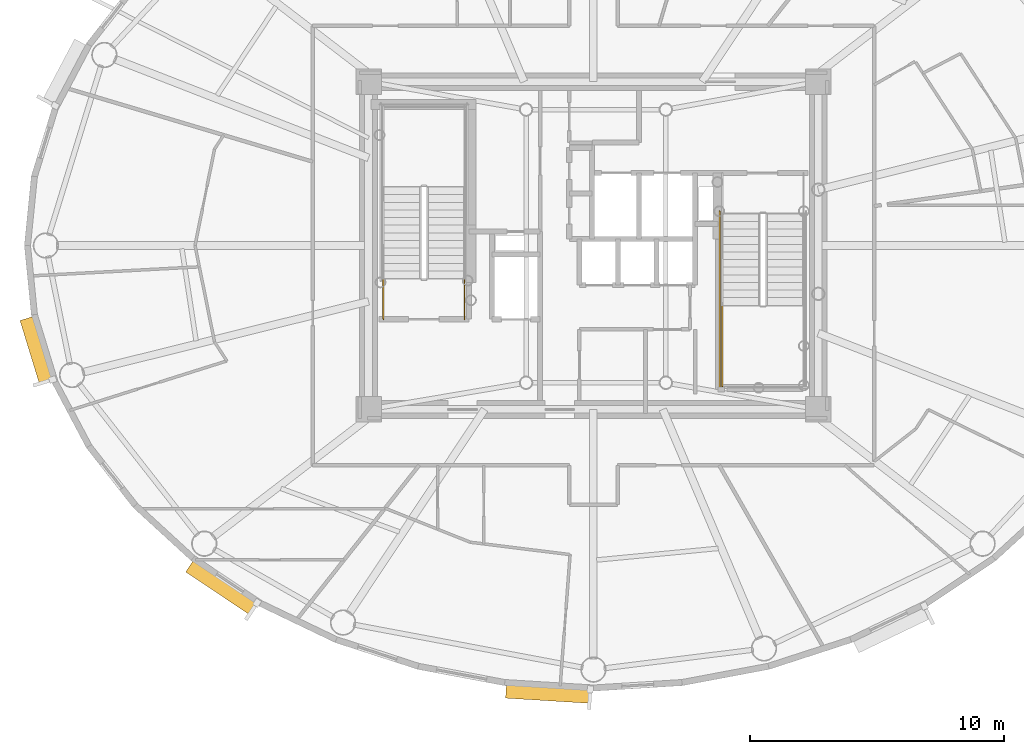
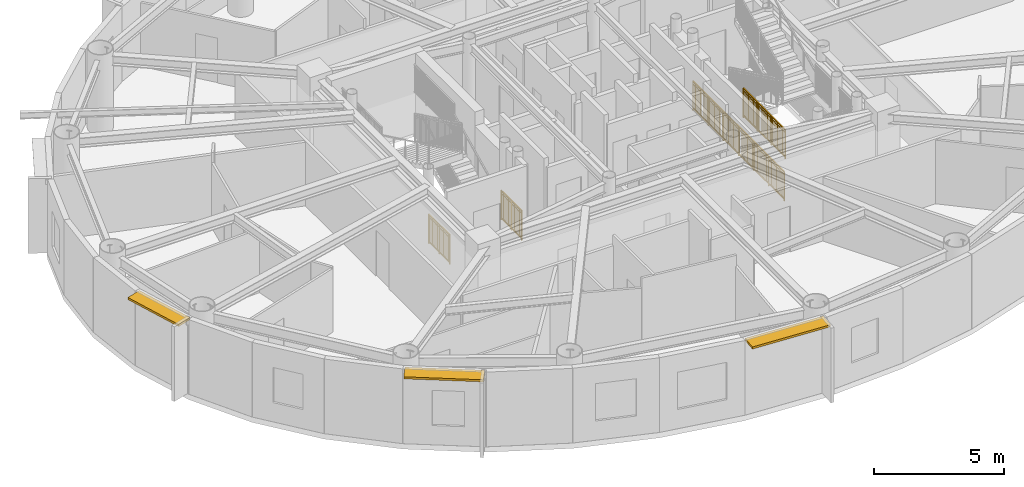
# One storey, part 11 of 17: 4 railings, 3 shading devices.
"""IFC4 building model written with IfcOpenShell, lengths in metres."""

from ifc_helpers import new_model, si_unit, direction, frame, origin, origin_2d, place, context, subcontext, project, spatial, rectangle, extrude, source, transform, mapped, material, layer, layer_set, type_object, element, save


model = new_model("IFC4")

# Units and contexts
model_context = context("Model", 3, precision=1e-05, world=origin(), true_north=direction((0.0, 1.0)))
body_context = subcontext(model_context, "Body", "Model", "MODEL_VIEW")
ifc_project = project(units=[si_unit("LENGTHUNIT", "METRE"), si_unit("AREAUNIT", "SQUARE_METRE"), si_unit("VOLUMEUNIT", "CUBIC_METRE"), si_unit("PLANEANGLEUNIT", "RADIAN"), si_unit("MASSUNIT", "GRAM", prefix="KILO")], contexts=[model_context])

# Site, building, storey
site_placement = place(None, origin())
site = spatial("IfcSite", under=ifc_project, at=site_placement, CompositionType="ELEMENT")
building_placement = place(site_placement, origin())
building = spatial("IfcBuilding", under=site, at=building_placement, Name="Linh Dai School and Residence Tower", CompositionType="ELEMENT")
storey_placement = place(building_placement, frame((0.0, 0.0, 280.5)))
storey = spatial("IfcBuildingStorey", under=building, at=storey_placement, Name="L69", CompositionType="ELEMENT", Elevation=280.5)

# Shading devices
ifc_material_1 = material(Name="Terracotta Ceramic Sunshade", Category="masonry")
ifc_layer = layer(ifc_material_1, 0.10009765625)
ifc_layer_set = layer_set([ifc_layer], Name="Terracotta Ceramic Sunshade")
shading_device_type = type_object("IfcShadingDeviceType", Name="SHD-TC-650", PredefinedType="USERDEFINED", material=ifc_layer_set)
shared_shape_1 = source(origin(), body_context, "Body", "SweptSolid", [
    extrude(rectangle(XDim=2.6640625, YDim=0.64990234375, at=origin_2d()), origin(), (0.0, 0.0, 1.0), 0.10009765625),
])
shading_device_1_placement = place(storey_placement, frame((14.132568359375, 22.870849609375, 3.3798828125), z_axis=(0.0, 0.0, 1.0), x_axis=(-0.293140945944, 0.956069236934, 0.0)))
element("IfcShadingDevice", 1, at=shading_device_1_placement, inside=storey, type_object=shading_device_type, Name="L69 Terracotta Horizontal Sunshade Band 22", ObjectType="SUNSHADE", PredefinedType="USERDEFINED", context=body_context, shape_type="MappedRepresentation", body=[
    mapped(shared_shape_1, transform((0.0, 0.0, 0.0), x_axis=(1.0, 0.0, 0.0), y_axis=(0.0, 1.0, 0.0), z_axis=(0.0, 0.0, 1.0), scale=1.0)),
])
shared_shape_2 = source(origin(), body_context, "Body", "SweptSolid", [
    extrude(rectangle(XDim=3.069091796875, YDim=0.64990234375, at=origin_2d()), origin(), (0.0, 0.0, 1.0), 0.10009765625),
])
shading_device_2_placement = place(storey_placement, frame((21.408203125, 13.5703125, 3.3798828125), z_axis=(0.0, 0.0, 1.0), x_axis=(-0.831245318631, 0.555905765624, 0.0)))
element("IfcShadingDevice", 2, at=shading_device_2_placement, inside=storey, type_object=shading_device_type, Name="L69 Terracotta Horizontal Sunshade Band 26", ObjectType="SUNSHADE", PredefinedType="USERDEFINED", context=body_context, shape_type="MappedRepresentation", body=[
    mapped(shared_shape_2, transform((0.0, 0.0, 0.0), x_axis=(1.0, 0.0, 0.0), y_axis=(0.0, 1.0, 0.0), z_axis=(0.0, 0.0, 1.0), scale=1.0)),
])
shared_shape_3 = source(origin(), body_context, "Body", "SweptSolid", [
    extrude(rectangle(XDim=3.355712890625, YDim=0.64990234375, at=origin_2d()), origin(), (0.0, 0.0, 1.0), 0.10009765625),
])
shading_device_3_placement = place(storey_placement, frame((34.238037109375, 9.407958984375, 3.3798828125), z_axis=(0.0, 0.0, 1.0), x_axis=(-0.998106469364, 0.061509965157, 0.0)))
element("IfcShadingDevice", 3, at=shading_device_3_placement, inside=storey, type_object=shading_device_type, Name="L69 Terracotta Horizontal Sunshade Band 30", ObjectType="SUNSHADE", PredefinedType="USERDEFINED", context=body_context, shape_type="MappedRepresentation", body=[
    mapped(shared_shape_3, transform((0.0, 0.0, 0.0), x_axis=(1.0, 0.0, 0.0), y_axis=(0.0, 1.0, 0.0), z_axis=(0.0, 0.0, 1.0), scale=1.0)),
])

# Railings
ifc_material_2 = material(Name="Structural Steel S355JR", Category="steel")
railing_type = type_object("IfcRailingType", Name="RL-ST-GUARD-1400", PredefinedType="GUARDRAIL", material=ifc_material_2)
shared_shape_4 = source(origin(), body_context, "Body", "SweptSolid", [
    extrude(rectangle(XDim=0.048095703125, YDim=0.048095703125, at=origin_2d()), frame((0.0, 0.0, 1.3759765625), z_axis=(0.0, 1.0, 0.0), x_axis=(-1.0, 0.0, 0.0)), (0.0, 0.0, 1.0), 1.599853515625),
    extrude(rectangle(XDim=0.048095703125, YDim=0.048095703125, at=origin_2d()), frame((0.0, 0.0, 0.10009765625), z_axis=(0.0, 1.0, 0.0), x_axis=(-1.0, 0.0, 0.0)), (0.0, 0.0, 1.0), 1.599853515625),
    extrude(rectangle(XDim=0.030029296875, YDim=0.030029296875, at=origin_2d()), frame((0.0, 0.0, 1.239990234375), z_axis=(0.0, 1.0, 0.0), x_axis=(-1.0, 0.0, 0.0)), (0.0, 0.0, 1.0), 1.599853515625),
    extrude(rectangle(XDim=0.02001953125, YDim=0.02001953125, at=origin_2d()), frame((0.0, 0.093994140625, 0.10009765625)), (0.0, 0.0, 1.0), 1.251708984375),
    extrude(rectangle(XDim=0.02001953125, YDim=0.02001953125, at=origin_2d()), frame((0.0, 0.188232421875, 0.10009765625)), (0.0, 0.0, 1.0), 1.251708984375),
    extrude(rectangle(XDim=0.02001953125, YDim=0.02001953125, at=origin_2d()), frame((0.0, 0.2822265625, 0.10009765625)), (0.0, 0.0, 1.0), 1.251708984375),
    extrude(rectangle(XDim=0.02001953125, YDim=0.02001953125, at=origin_2d()), frame((0.0, 0.37646484375, 0.10009765625)), (0.0, 0.0, 1.0), 1.251708984375),
    extrude(rectangle(XDim=0.02001953125, YDim=0.02001953125, at=origin_2d()), frame((0.0, 0.470458984375, 0.10009765625)), (0.0, 0.0, 1.0), 1.251708984375),
    extrude(rectangle(XDim=0.02001953125, YDim=0.02001953125, at=origin_2d()), frame((0.0, 0.564697265625, 0.10009765625)), (0.0, 0.0, 1.0), 1.251708984375),
    extrude(rectangle(XDim=0.02001953125, YDim=0.02001953125, at=origin_2d()), frame((0.0, 0.65869140625, 0.10009765625)), (0.0, 0.0, 1.0), 1.251708984375),
    extrude(rectangle(XDim=0.02001953125, YDim=0.02001953125, at=origin_2d()), frame((0.0, 0.7529296875, 0.10009765625)), (0.0, 0.0, 1.0), 1.251708984375),
    extrude(rectangle(XDim=0.02001953125, YDim=0.02001953125, at=origin_2d()), frame((0.0, 0.846923828125, 0.10009765625)), (0.0, 0.0, 1.0), 1.251708984375),
    extrude(rectangle(XDim=0.02001953125, YDim=0.02001953125, at=origin_2d()), frame((0.0, 0.941162109375, 0.10009765625)), (0.0, 0.0, 1.0), 1.251708984375),
    extrude(rectangle(XDim=0.02001953125, YDim=0.02001953125, at=origin_2d()), frame((0.0, 1.03515625, 0.10009765625)), (0.0, 0.0, 1.0), 1.251708984375),
    extrude(rectangle(XDim=0.02001953125, YDim=0.02001953125, at=origin_2d()), frame((0.0, 1.12939453125, 0.10009765625)), (0.0, 0.0, 1.0), 1.251708984375),
    extrude(rectangle(XDim=0.02001953125, YDim=0.02001953125, at=origin_2d()), frame((0.0, 1.223388671875, 0.10009765625)), (0.0, 0.0, 1.0), 1.251708984375),
    extrude(rectangle(XDim=0.02001953125, YDim=0.02001953125, at=origin_2d()), frame((0.0, 1.317626953125, 0.10009765625)), (0.0, 0.0, 1.0), 1.251708984375),
    extrude(rectangle(XDim=0.02001953125, YDim=0.02001953125, at=origin_2d()), frame((0.0, 1.41162109375, 0.10009765625)), (0.0, 0.0, 1.0), 1.251708984375),
    extrude(rectangle(XDim=0.02001953125, YDim=0.02001953125, at=origin_2d()), frame((0.0, 1.505859375, 0.10009765625)), (0.0, 0.0, 1.0), 1.251708984375),
    extrude(rectangle(XDim=0.0419921875, YDim=0.0419921875, at=origin_2d()), origin(), (0.0, 0.0, 1.0), 1.3759765625),
    extrude(rectangle(XDim=0.0419921875, YDim=0.0419921875, at=origin_2d()), frame((0.0, 0.7998046875, 0.0)), (0.0, 0.0, 1.0), 1.3759765625),
    extrude(rectangle(XDim=0.0419921875, YDim=0.0419921875, at=origin_2d()), frame((0.0, 1.599853515625, 0.0)), (0.0, 0.0, 1.0), 1.3759765625),
])
for number, where, name in (
    (4, (30.929931640625, 24.10009765625, 0.0), "L69 ST1 stair guard 8"),
    (5, (27.72998046875, 24.10009765625, 0.0), "L69 ST1 stair guard 9"),
):
    element("IfcRailing", number, at=place(storey_placement, frame(where)), inside=storey, type_object=railing_type, Name=name, PredefinedType="GUARDRAIL", context=body_context, shape_type="MappedRepresentation", body=[
        mapped(shared_shape_4, transform((0.0, 0.0, 0.0), x_axis=(1.0, 0.0, 0.0), y_axis=(0.0, 1.0, 0.0), z_axis=(0.0, 0.0, 1.0), scale=1.0)),
    ])
shared_shape_5 = source(origin(), body_context, "Body", "SweptSolid", [
    extrude(rectangle(XDim=0.048095703125, YDim=0.048095703125, at=origin_2d()), frame((0.0, 0.0, 1.3759765625), z_axis=(0.0, -1.0, 0.0), x_axis=(1.0, 0.0, 0.0)), (0.0, 0.0, 1.0), 7.0),
    extrude(rectangle(XDim=0.048095703125, YDim=0.048095703125, at=origin_2d()), frame((0.0, 0.0, 0.10009765625), z_axis=(0.0, -1.0, 0.0), x_axis=(1.0, 0.0, 0.0)), (0.0, 0.0, 1.0), 7.0),
    extrude(rectangle(XDim=0.030029296875, YDim=0.030029296875, at=origin_2d()), frame((0.0, 0.0, 1.239990234375), z_axis=(0.0, -1.0, 0.0), x_axis=(1.0, 0.0, 0.0)), (0.0, 0.0, 1.0), 7.0),
    extrude(rectangle(XDim=0.02001953125, YDim=0.02001953125, at=origin_2d()), frame((0.0, -0.09716796875, 0.10009765625)), (0.0, 0.0, 1.0), 1.251708984375),
    extrude(rectangle(XDim=0.02001953125, YDim=0.02001953125, at=origin_2d()), frame((0.0, -0.1943359375, 0.10009765625)), (0.0, 0.0, 1.0), 1.251708984375),
    extrude(rectangle(XDim=0.02001953125, YDim=0.02001953125, at=origin_2d()), frame((0.0, -0.291748046875, 0.10009765625)), (0.0, 0.0, 1.0), 1.251708984375),
    extrude(rectangle(XDim=0.02001953125, YDim=0.02001953125, at=origin_2d()), frame((0.0, -0.388916015625, 0.10009765625)), (0.0, 0.0, 1.0), 1.251708984375),
    extrude(rectangle(XDim=0.02001953125, YDim=0.02001953125, at=origin_2d()), frame((0.0, -0.486083984375, 0.10009765625)), (0.0, 0.0, 1.0), 1.251708984375),
    extrude(rectangle(XDim=0.02001953125, YDim=0.02001953125, at=origin_2d()), frame((0.0, -0.583251953125, 0.10009765625)), (0.0, 0.0, 1.0), 1.251708984375),
    extrude(rectangle(XDim=0.02001953125, YDim=0.02001953125, at=origin_2d()), frame((0.0, -0.6806640625, 0.10009765625)), (0.0, 0.0, 1.0), 1.251708984375),
    extrude(rectangle(XDim=0.02001953125, YDim=0.02001953125, at=origin_2d()), frame((0.0, -0.77783203125, 0.10009765625)), (0.0, 0.0, 1.0), 1.251708984375),
    extrude(rectangle(XDim=0.02001953125, YDim=0.02001953125, at=origin_2d()), frame((0.0, -0.875, 0.10009765625)), (0.0, 0.0, 1.0), 1.251708984375),
    extrude(rectangle(XDim=0.02001953125, YDim=0.02001953125, at=origin_2d()), frame((0.0, -0.97216796875, 0.10009765625)), (0.0, 0.0, 1.0), 1.251708984375),
    extrude(rectangle(XDim=0.02001953125, YDim=0.02001953125, at=origin_2d()), frame((0.0, -1.0693359375, 0.10009765625)), (0.0, 0.0, 1.0), 1.251708984375),
    extrude(rectangle(XDim=0.02001953125, YDim=0.02001953125, at=origin_2d()), frame((0.0, -1.263916015625, 0.10009765625)), (0.0, 0.0, 1.0), 1.251708984375),
    extrude(rectangle(XDim=0.02001953125, YDim=0.02001953125, at=origin_2d()), frame((0.0, -1.361083984375, 0.10009765625)), (0.0, 0.0, 1.0), 1.251708984375),
    extrude(rectangle(XDim=0.02001953125, YDim=0.02001953125, at=origin_2d()), frame((0.0, -1.458251953125, 0.10009765625)), (0.0, 0.0, 1.0), 1.251708984375),
    extrude(rectangle(XDim=0.02001953125, YDim=0.02001953125, at=origin_2d()), frame((0.0, -1.5556640625, 0.10009765625)), (0.0, 0.0, 1.0), 1.251708984375),
    extrude(rectangle(XDim=0.02001953125, YDim=0.02001953125, at=origin_2d()), frame((0.0, -1.65283203125, 0.10009765625)), (0.0, 0.0, 1.0), 1.251708984375),
    extrude(rectangle(XDim=0.02001953125, YDim=0.02001953125, at=origin_2d()), frame((0.0, -1.75, 0.10009765625)), (0.0, 0.0, 1.0), 1.251708984375),
    extrude(rectangle(XDim=0.02001953125, YDim=0.02001953125, at=origin_2d()), frame((0.0, -1.84716796875, 0.10009765625)), (0.0, 0.0, 1.0), 1.251708984375),
    extrude(rectangle(XDim=0.02001953125, YDim=0.02001953125, at=origin_2d()), frame((0.0, -1.9443359375, 0.10009765625)), (0.0, 0.0, 1.0), 1.251708984375),
    extrude(rectangle(XDim=0.02001953125, YDim=0.02001953125, at=origin_2d()), frame((0.0, -2.041748046875, 0.10009765625)), (0.0, 0.0, 1.0), 1.251708984375),
    extrude(rectangle(XDim=0.02001953125, YDim=0.02001953125, at=origin_2d()), frame((0.0, -2.138916015625, 0.10009765625)), (0.0, 0.0, 1.0), 1.251708984375),
    extrude(rectangle(XDim=0.02001953125, YDim=0.02001953125, at=origin_2d()), frame((0.0, -2.236083984375, 0.10009765625)), (0.0, 0.0, 1.0), 1.251708984375),
    extrude(rectangle(XDim=0.02001953125, YDim=0.02001953125, at=origin_2d()), frame((0.0, -2.4306640625, 0.10009765625)), (0.0, 0.0, 1.0), 1.251708984375),
    extrude(rectangle(XDim=0.02001953125, YDim=0.02001953125, at=origin_2d()), frame((0.0, -2.52783203125, 0.10009765625)), (0.0, 0.0, 1.0), 1.251708984375),
    extrude(rectangle(XDim=0.02001953125, YDim=0.02001953125, at=origin_2d()), frame((0.0, -2.625, 0.10009765625)), (0.0, 0.0, 1.0), 1.251708984375),
    extrude(rectangle(XDim=0.02001953125, YDim=0.02001953125, at=origin_2d()), frame((0.0, -2.72216796875, 0.10009765625)), (0.0, 0.0, 1.0), 1.251708984375),
    extrude(rectangle(XDim=0.02001953125, YDim=0.02001953125, at=origin_2d()), frame((0.0, -2.8193359375, 0.10009765625)), (0.0, 0.0, 1.0), 1.251708984375),
    extrude(rectangle(XDim=0.02001953125, YDim=0.02001953125, at=origin_2d()), frame((0.0, -2.916748046875, 0.10009765625)), (0.0, 0.0, 1.0), 1.251708984375),
    extrude(rectangle(XDim=0.02001953125, YDim=0.02001953125, at=origin_2d()), frame((0.0, -3.013916015625, 0.10009765625)), (0.0, 0.0, 1.0), 1.251708984375),
    extrude(rectangle(XDim=0.02001953125, YDim=0.02001953125, at=origin_2d()), frame((0.0, -3.111083984375, 0.10009765625)), (0.0, 0.0, 1.0), 1.251708984375),
    extrude(rectangle(XDim=0.02001953125, YDim=0.02001953125, at=origin_2d()), frame((0.0, -3.208251953125, 0.10009765625)), (0.0, 0.0, 1.0), 1.251708984375),
    extrude(rectangle(XDim=0.02001953125, YDim=0.02001953125, at=origin_2d()), frame((0.0, -3.3056640625, 0.10009765625)), (0.0, 0.0, 1.0), 1.251708984375),
    extrude(rectangle(XDim=0.02001953125, YDim=0.02001953125, at=origin_2d()), frame((0.0, -3.40283203125, 0.10009765625)), (0.0, 0.0, 1.0), 1.251708984375),
    extrude(rectangle(XDim=0.02001953125, YDim=0.02001953125, at=origin_2d()), frame((0.0, -3.59716796875, 0.10009765625)), (0.0, 0.0, 1.0), 1.251708984375),
    extrude(rectangle(XDim=0.02001953125, YDim=0.02001953125, at=origin_2d()), frame((0.0, -3.6943359375, 0.10009765625)), (0.0, 0.0, 1.0), 1.251708984375),
    extrude(rectangle(XDim=0.02001953125, YDim=0.02001953125, at=origin_2d()), frame((0.0, -3.791748046875, 0.10009765625)), (0.0, 0.0, 1.0), 1.251708984375),
    extrude(rectangle(XDim=0.02001953125, YDim=0.02001953125, at=origin_2d()), frame((0.0, -3.888916015625, 0.10009765625)), (0.0, 0.0, 1.0), 1.251708984375),
    extrude(rectangle(XDim=0.02001953125, YDim=0.02001953125, at=origin_2d()), frame((0.0, -3.986083984375, 0.10009765625)), (0.0, 0.0, 1.0), 1.251708984375),
    extrude(rectangle(XDim=0.02001953125, YDim=0.02001953125, at=origin_2d()), frame((0.0, -4.083251953125, 0.10009765625)), (0.0, 0.0, 1.0), 1.251708984375),
    extrude(rectangle(XDim=0.02001953125, YDim=0.02001953125, at=origin_2d()), frame((0.0, -4.1806640625, 0.10009765625)), (0.0, 0.0, 1.0), 1.251708984375),
    extrude(rectangle(XDim=0.02001953125, YDim=0.02001953125, at=origin_2d()), frame((0.0, -4.27783203125, 0.10009765625)), (0.0, 0.0, 1.0), 1.251708984375),
    extrude(rectangle(XDim=0.02001953125, YDim=0.02001953125, at=origin_2d()), frame((0.0, -4.375, 0.10009765625)), (0.0, 0.0, 1.0), 1.251708984375),
    extrude(rectangle(XDim=0.02001953125, YDim=0.02001953125, at=origin_2d()), frame((0.0, -4.47216796875, 0.10009765625)), (0.0, 0.0, 1.0), 1.251708984375),
    extrude(rectangle(XDim=0.02001953125, YDim=0.02001953125, at=origin_2d()), frame((0.0, -4.5693359375, 0.10009765625)), (0.0, 0.0, 1.0), 1.251708984375),
    extrude(rectangle(XDim=0.02001953125, YDim=0.02001953125, at=origin_2d()), frame((0.0, -4.763916015625, 0.10009765625)), (0.0, 0.0, 1.0), 1.251708984375),
    extrude(rectangle(XDim=0.02001953125, YDim=0.02001953125, at=origin_2d()), frame((0.0, -4.861083984375, 0.10009765625)), (0.0, 0.0, 1.0), 1.251708984375),
    extrude(rectangle(XDim=0.02001953125, YDim=0.02001953125, at=origin_2d()), frame((0.0, -4.958251953125, 0.10009765625)), (0.0, 0.0, 1.0), 1.251708984375),
    extrude(rectangle(XDim=0.02001953125, YDim=0.02001953125, at=origin_2d()), frame((0.0, -5.0556640625, 0.10009765625)), (0.0, 0.0, 1.0), 1.251708984375),
    extrude(rectangle(XDim=0.02001953125, YDim=0.02001953125, at=origin_2d()), frame((0.0, -5.15283203125, 0.10009765625)), (0.0, 0.0, 1.0), 1.251708984375),
    extrude(rectangle(XDim=0.02001953125, YDim=0.02001953125, at=origin_2d()), frame((0.0, -5.25, 0.10009765625)), (0.0, 0.0, 1.0), 1.251708984375),
    extrude(rectangle(XDim=0.02001953125, YDim=0.02001953125, at=origin_2d()), frame((0.0, -5.34716796875, 0.10009765625)), (0.0, 0.0, 1.0), 1.251708984375),
    extrude(rectangle(XDim=0.02001953125, YDim=0.02001953125, at=origin_2d()), frame((0.0, -5.4443359375, 0.10009765625)), (0.0, 0.0, 1.0), 1.251708984375),
    extrude(rectangle(XDim=0.02001953125, YDim=0.02001953125, at=origin_2d()), frame((0.0, -5.541748046875, 0.10009765625)), (0.0, 0.0, 1.0), 1.251708984375),
    extrude(rectangle(XDim=0.02001953125, YDim=0.02001953125, at=origin_2d()), frame((0.0, -5.638916015625, 0.10009765625)), (0.0, 0.0, 1.0), 1.251708984375),
    extrude(rectangle(XDim=0.02001953125, YDim=0.02001953125, at=origin_2d()), frame((0.0, -5.736083984375, 0.10009765625)), (0.0, 0.0, 1.0), 1.251708984375),
    extrude(rectangle(XDim=0.02001953125, YDim=0.02001953125, at=origin_2d()), frame((0.0, -5.9306640625, 0.10009765625)), (0.0, 0.0, 1.0), 1.251708984375),
    extrude(rectangle(XDim=0.02001953125, YDim=0.02001953125, at=origin_2d()), frame((0.0, -6.02783203125, 0.10009765625)), (0.0, 0.0, 1.0), 1.251708984375),
    extrude(rectangle(XDim=0.02001953125, YDim=0.02001953125, at=origin_2d()), frame((0.0, -6.125, 0.10009765625)), (0.0, 0.0, 1.0), 1.251708984375),
    extrude(rectangle(XDim=0.02001953125, YDim=0.02001953125, at=origin_2d()), frame((0.0, -6.22216796875, 0.10009765625)), (0.0, 0.0, 1.0), 1.251708984375),
    extrude(rectangle(XDim=0.02001953125, YDim=0.02001953125, at=origin_2d()), frame((0.0, -6.3193359375, 0.10009765625)), (0.0, 0.0, 1.0), 1.251708984375),
    extrude(rectangle(XDim=0.02001953125, YDim=0.02001953125, at=origin_2d()), frame((0.0, -6.416748046875, 0.10009765625)), (0.0, 0.0, 1.0), 1.251708984375),
    extrude(rectangle(XDim=0.02001953125, YDim=0.02001953125, at=origin_2d()), frame((0.0, -6.513916015625, 0.10009765625)), (0.0, 0.0, 1.0), 1.251708984375),
    extrude(rectangle(XDim=0.02001953125, YDim=0.02001953125, at=origin_2d()), frame((0.0, -6.611083984375, 0.10009765625)), (0.0, 0.0, 1.0), 1.251708984375),
    extrude(rectangle(XDim=0.02001953125, YDim=0.02001953125, at=origin_2d()), frame((0.0, -6.708251953125, 0.10009765625)), (0.0, 0.0, 1.0), 1.251708984375),
    extrude(rectangle(XDim=0.02001953125, YDim=0.02001953125, at=origin_2d()), frame((0.0, -6.8056640625, 0.10009765625)), (0.0, 0.0, 1.0), 1.251708984375),
    extrude(rectangle(XDim=0.02001953125, YDim=0.02001953125, at=origin_2d()), frame((0.0, -6.90283203125, 0.10009765625)), (0.0, 0.0, 1.0), 1.251708984375),
    extrude(rectangle(XDim=0.0419921875, YDim=0.0419921875, at=origin_2d()), origin(), (0.0, 0.0, 1.0), 1.3759765625),
    extrude(rectangle(XDim=0.0419921875, YDim=0.0419921875, at=origin_2d()), frame((0.0, -1.166748046875, 0.0)), (0.0, 0.0, 1.0), 1.3759765625),
    extrude(rectangle(XDim=0.0419921875, YDim=0.0419921875, at=origin_2d()), frame((0.0, -2.333251953125, 0.0)), (0.0, 0.0, 1.0), 1.3759765625),
    extrude(rectangle(XDim=0.0419921875, YDim=0.0419921875, at=origin_2d()), frame((0.0, -3.5, 0.0)), (0.0, 0.0, 1.0), 1.3759765625),
    extrude(rectangle(XDim=0.0419921875, YDim=0.0419921875, at=origin_2d()), frame((0.0, -4.666748046875, 0.0)), (0.0, 0.0, 1.0), 1.3759765625),
    extrude(rectangle(XDim=0.0419921875, YDim=0.0419921875, at=origin_2d()), frame((0.0, -5.833251953125, 0.0)), (0.0, 0.0, 1.0), 1.3759765625),
    extrude(rectangle(XDim=0.0419921875, YDim=0.0419921875, at=origin_2d()), frame((0.0, -7.0, 0.0)), (0.0, 0.0, 1.0), 1.3759765625),
])
railing_1_placement = place(storey_placement, frame((40.969970703125, 28.35009765625, 0.0)))
element("IfcRailing", 6, at=railing_1_placement, inside=storey, type_object=railing_type, Name="L69 ST2 stair guard 10", PredefinedType="GUARDRAIL", context=body_context, shape_type="MappedRepresentation", body=[
    mapped(shared_shape_5, transform((0.0, 0.0, 0.0), x_axis=(1.0, 0.0, 0.0), y_axis=(0.0, 1.0, 0.0), z_axis=(0.0, 0.0, 1.0), scale=1.0)),
])
shared_shape_6 = source(origin(), body_context, "Body", "SweptSolid", [
    extrude(rectangle(XDim=0.048095703125, YDim=0.048095703125, at=origin_2d()), frame((0.0, 0.0, 1.3759765625), z_axis=(0.0, -1.0, 0.0), x_axis=(1.0, 0.0, 0.0)), (0.0, 0.0, 1.0), 3.199951171875),
    extrude(rectangle(XDim=0.048095703125, YDim=0.048095703125, at=origin_2d()), frame((0.0, 0.0, 0.10009765625), z_axis=(0.0, -1.0, 0.0), x_axis=(1.0, 0.0, 0.0)), (0.0, 0.0, 1.0), 3.199951171875),
    extrude(rectangle(XDim=0.030029296875, YDim=0.030029296875, at=origin_2d()), frame((0.0, 0.0, 1.239990234375), z_axis=(0.0, -1.0, 0.0), x_axis=(1.0, 0.0, 0.0)), (0.0, 0.0, 1.0), 3.199951171875),
    extrude(rectangle(XDim=0.02001953125, YDim=0.02001953125, at=origin_2d()), frame((0.0, -0.096923828125, 0.10009765625)), (0.0, 0.0, 1.0), 1.251708984375),
    extrude(rectangle(XDim=0.02001953125, YDim=0.02001953125, at=origin_2d()), frame((0.0, -0.19384765625, 0.10009765625)), (0.0, 0.0, 1.0), 1.251708984375),
    extrude(rectangle(XDim=0.02001953125, YDim=0.02001953125, at=origin_2d()), frame((0.0, -0.291015625, 0.10009765625)), (0.0, 0.0, 1.0), 1.251708984375),
    extrude(rectangle(XDim=0.02001953125, YDim=0.02001953125, at=origin_2d()), frame((0.0, -0.387939453125, 0.10009765625)), (0.0, 0.0, 1.0), 1.251708984375),
    extrude(rectangle(XDim=0.02001953125, YDim=0.02001953125, at=origin_2d()), frame((0.0, -0.48486328125, 0.10009765625)), (0.0, 0.0, 1.0), 1.251708984375),
    extrude(rectangle(XDim=0.02001953125, YDim=0.02001953125, at=origin_2d()), frame((0.0, -0.581787109375, 0.10009765625)), (0.0, 0.0, 1.0), 1.251708984375),
    extrude(rectangle(XDim=0.02001953125, YDim=0.02001953125, at=origin_2d()), frame((0.0, -0.6787109375, 0.10009765625)), (0.0, 0.0, 1.0), 1.251708984375),
    extrude(rectangle(XDim=0.02001953125, YDim=0.02001953125, at=origin_2d()), frame((0.0, -0.775634765625, 0.10009765625)), (0.0, 0.0, 1.0), 1.251708984375),
    extrude(rectangle(XDim=0.02001953125, YDim=0.02001953125, at=origin_2d()), frame((0.0, -0.872802734375, 0.10009765625)), (0.0, 0.0, 1.0), 1.251708984375),
    extrude(rectangle(XDim=0.02001953125, YDim=0.02001953125, at=origin_2d()), frame((0.0, -0.9697265625, 0.10009765625)), (0.0, 0.0, 1.0), 1.251708984375),
    extrude(rectangle(XDim=0.02001953125, YDim=0.02001953125, at=origin_2d()), frame((0.0, -1.16357421875, 0.10009765625)), (0.0, 0.0, 1.0), 1.251708984375),
    extrude(rectangle(XDim=0.02001953125, YDim=0.02001953125, at=origin_2d()), frame((0.0, -1.260498046875, 0.10009765625)), (0.0, 0.0, 1.0), 1.251708984375),
    extrude(rectangle(XDim=0.02001953125, YDim=0.02001953125, at=origin_2d()), frame((0.0, -1.357666015625, 0.10009765625)), (0.0, 0.0, 1.0), 1.251708984375),
    extrude(rectangle(XDim=0.02001953125, YDim=0.02001953125, at=origin_2d()), frame((0.0, -1.45458984375, 0.10009765625)), (0.0, 0.0, 1.0), 1.251708984375),
    extrude(rectangle(XDim=0.02001953125, YDim=0.02001953125, at=origin_2d()), frame((0.0, -1.551513671875, 0.10009765625)), (0.0, 0.0, 1.0), 1.251708984375),
    extrude(rectangle(XDim=0.02001953125, YDim=0.02001953125, at=origin_2d()), frame((0.0, -1.6484375, 0.10009765625)), (0.0, 0.0, 1.0), 1.251708984375),
    extrude(rectangle(XDim=0.02001953125, YDim=0.02001953125, at=origin_2d()), frame((0.0, -1.745361328125, 0.10009765625)), (0.0, 0.0, 1.0), 1.251708984375),
    extrude(rectangle(XDim=0.02001953125, YDim=0.02001953125, at=origin_2d()), frame((0.0, -1.84228515625, 0.10009765625)), (0.0, 0.0, 1.0), 1.251708984375),
    extrude(rectangle(XDim=0.02001953125, YDim=0.02001953125, at=origin_2d()), frame((0.0, -1.939453125, 0.10009765625)), (0.0, 0.0, 1.0), 1.251708984375),
    extrude(rectangle(XDim=0.02001953125, YDim=0.02001953125, at=origin_2d()), frame((0.0, -2.036376953125, 0.10009765625)), (0.0, 0.0, 1.0), 1.251708984375),
    extrude(rectangle(XDim=0.02001953125, YDim=0.02001953125, at=origin_2d()), frame((0.0, -2.230224609375, 0.10009765625)), (0.0, 0.0, 1.0), 1.251708984375),
    extrude(rectangle(XDim=0.02001953125, YDim=0.02001953125, at=origin_2d()), frame((0.0, -2.3271484375, 0.10009765625)), (0.0, 0.0, 1.0), 1.251708984375),
    extrude(rectangle(XDim=0.02001953125, YDim=0.02001953125, at=origin_2d()), frame((0.0, -2.42431640625, 0.10009765625)), (0.0, 0.0, 1.0), 1.251708984375),
    extrude(rectangle(XDim=0.02001953125, YDim=0.02001953125, at=origin_2d()), frame((0.0, -2.521240234375, 0.10009765625)), (0.0, 0.0, 1.0), 1.251708984375),
    extrude(rectangle(XDim=0.02001953125, YDim=0.02001953125, at=origin_2d()), frame((0.0, -2.6181640625, 0.10009765625)), (0.0, 0.0, 1.0), 1.251708984375),
    extrude(rectangle(XDim=0.02001953125, YDim=0.02001953125, at=origin_2d()), frame((0.0, -2.715087890625, 0.10009765625)), (0.0, 0.0, 1.0), 1.251708984375),
    extrude(rectangle(XDim=0.02001953125, YDim=0.02001953125, at=origin_2d()), frame((0.0, -2.81201171875, 0.10009765625)), (0.0, 0.0, 1.0), 1.251708984375),
    extrude(rectangle(XDim=0.02001953125, YDim=0.02001953125, at=origin_2d()), frame((0.0, -2.908935546875, 0.10009765625)), (0.0, 0.0, 1.0), 1.251708984375),
    extrude(rectangle(XDim=0.02001953125, YDim=0.02001953125, at=origin_2d()), frame((0.0, -3.006103515625, 0.10009765625)), (0.0, 0.0, 1.0), 1.251708984375),
    extrude(rectangle(XDim=0.02001953125, YDim=0.02001953125, at=origin_2d()), frame((0.0, -3.10302734375, 0.10009765625)), (0.0, 0.0, 1.0), 1.251708984375),
    extrude(rectangle(XDim=0.0419921875, YDim=0.0419921875, at=origin_2d()), origin(), (0.0, 0.0, 1.0), 1.3759765625),
    extrude(rectangle(XDim=0.0419921875, YDim=0.0419921875, at=origin_2d()), frame((0.0, -1.066650390625, 0.0)), (0.0, 0.0, 1.0), 1.3759765625),
    extrude(rectangle(XDim=0.0419921875, YDim=0.0419921875, at=origin_2d()), frame((0.0, -2.13330078125, 0.0)), (0.0, 0.0, 1.0), 1.3759765625),
    extrude(rectangle(XDim=0.0419921875, YDim=0.0419921875, at=origin_2d()), frame((0.0, -3.199951171875, 0.0)), (0.0, 0.0, 1.0), 1.3759765625),
])
railing_2_placement = place(storey_placement, frame((41.070068359375, 24.64990234375, 1.875)))
element("IfcRailing", 7, at=railing_2_placement, inside=storey, type_object=railing_type, Name="L69 ST2 stair guard 3", PredefinedType="GUARDRAIL", context=body_context, shape_type="MappedRepresentation", body=[
    mapped(shared_shape_6, transform((0.0, 0.0, 0.0), x_axis=(1.0, 0.0, 0.0), y_axis=(0.0, 1.0, 0.0), z_axis=(0.0, 0.0, 1.0), scale=1.0)),
])

save(model, "model.ifc")
